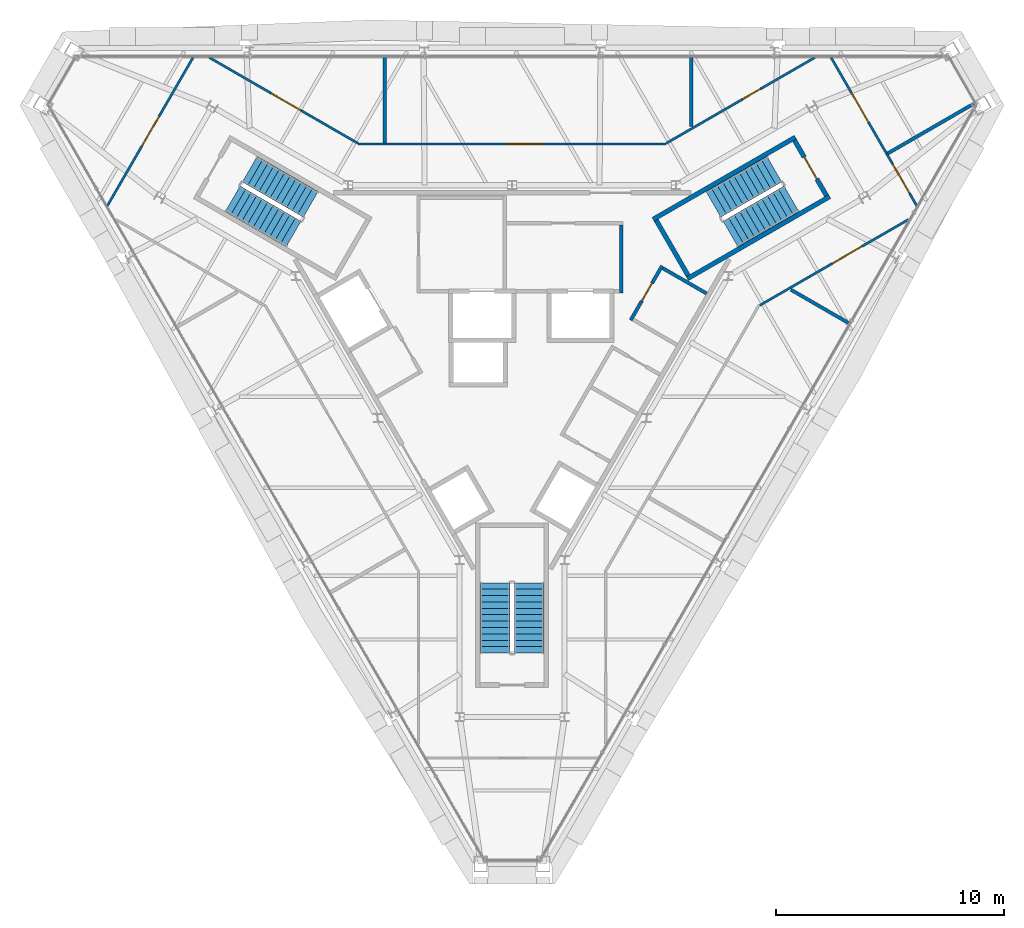
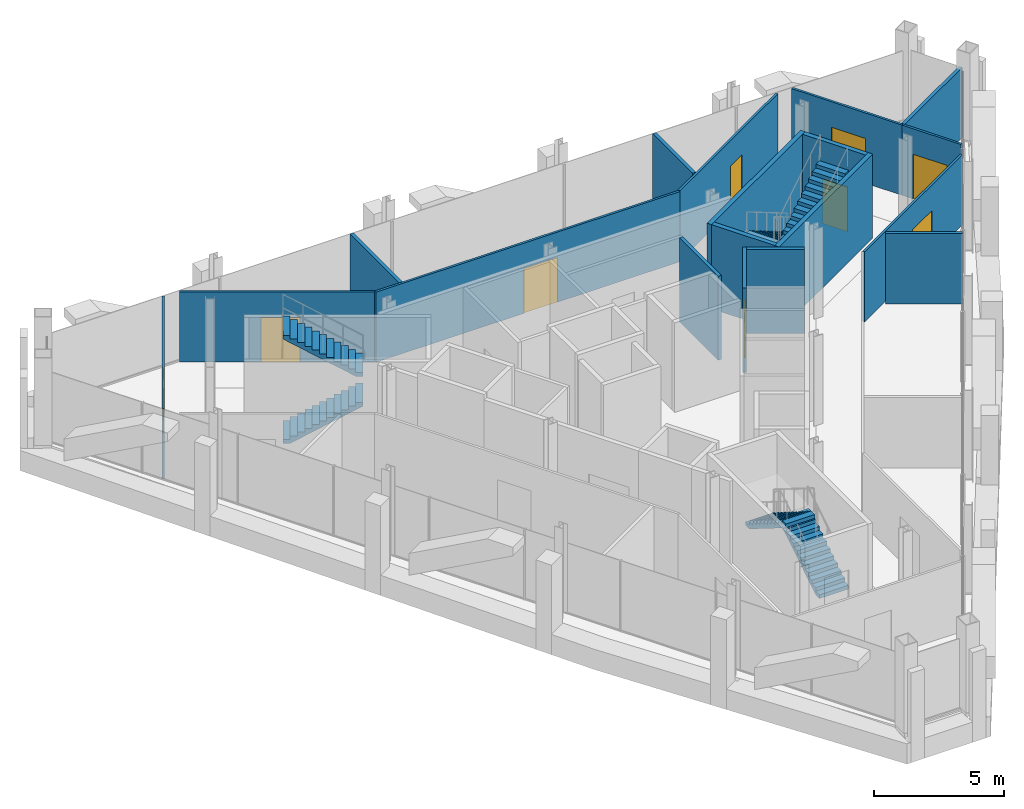
# One storey, part 11 of 13: 18 walls, 9 doors, 6 stair flights, 9 openings, 3 elements without a shape of their own.
"""IFC4 building model written with IfcOpenShell, lengths in metres."""

from ifc_helpers import new_model, si_unit, direction, frame, frame_2d, origin, place, context, subcontext, project, spatial, polyline, rectangle, outline, extrude, material, layer, layer_set, type_object, element, fill, aggregate, save


model = new_model("IFC4")

# Units and contexts
model_context = context("Model", 3, precision=1e-05, world=origin(), true_north=direction((0.0, 1.0)))
body_context = subcontext(model_context, "Body", "Model", "MODEL_VIEW")
ifc_project = project(units=[si_unit("LENGTHUNIT", "METRE"), si_unit("AREAUNIT", "SQUARE_METRE"), si_unit("VOLUMEUNIT", "CUBIC_METRE"), si_unit("PLANEANGLEUNIT", "RADIAN"), si_unit("MASSUNIT", "GRAM", prefix="KILO")], contexts=[model_context])

# Site, building, storey
site_placement = place(None, origin())
site = spatial("IfcSite", under=ifc_project, at=site_placement, CompositionType="ELEMENT")
building_placement = place(site_placement, origin())
building = spatial("IfcBuilding", under=site, at=building_placement, Name="Verrane Prism Tower", CompositionType="ELEMENT")
storey_placement = place(building_placement, frame((0.0, 0.0, 308.39990234375)))
storey = spatial("IfcBuildingStorey", under=building, at=storey_placement, Name="L78", CompositionType="ELEMENT", Elevation=308.39990234375)

# Wall, opening, door
ifc_material_1 = material(Name="Concrete C40/50", Category="concrete")
ifc_layer_1 = layer(ifc_material_1, 0.199951171875)
ifc_layer_set_1 = layer_set([ifc_layer_1], Name="CW-200 stair core wall concrete C40/50 3 h")
wall_type_1 = type_object("IfcWallType", Name="CW-200 stair core wall concrete C40/50 3 h", PredefinedType="PARTITIONING", material=ifc_layer_set_1)
wall_1_placement = place(storey_placement, frame((13.777099609375, 6.337646484375, 0.0), z_axis=(0.0, 0.0, 1.0), x_axis=(-0.500049511043, 0.865996816683, 0.0)))
wall_1 = element("IfcWall", 1, at=wall_1_placement, inside=storey, type_object=wall_type_1, Name="Stair 1 enclosure wall", PredefinedType="PARTITIONING", context=body_context, shape_type="SweptSolid", body=[
    extrude(rectangle(XDim=2.800048828125, YDim=0.199951171875, at=frame_2d((1.39990234375, 0.0))), origin(), (0.0, 0.0, 1.0), 3.9501953125),
])
opening_1_placement = place(wall_1_placement, frame((0.849853515625, 0.0, 0.0)))
opening_1 = element("IfcOpeningElement", 2, at=opening_1_placement, cuts=wall_1, Name="Opening D78500", PredefinedType="OPENING", context=body_context, shape_type="SweptSolid", body=[
    extrude(rectangle(XDim=1.10009765625, YDim=2.10009765625, at=frame_2d((0.550048828125, 1.050048828125))), frame((0.0, 0.10986328125, 0.0), z_axis=(0.0, -1.0, 0.0), x_axis=(1.0, 0.0, 0.0)), (0.0, 0.0, 1.0), 0.219970703125),
])
ifc_material_2 = material(Name="Timber veneered door leaf", Category="wood")
door_type_1 = type_object("IfcDoorType", Name="DR-1100x2100 FD90 single leaf stair", OperationType="NOTDEFINED", PredefinedType="DOOR", material=ifc_material_2)
door_1_placement = place(opening_1_placement, origin())
door_1 = element("IfcDoor", 3, at=door_1_placement, inside=storey, type_object=door_type_1, Name="Stair 1 door", OperationType="SINGLE_SWING_LEFT", OverallHeight=2.10009765625, OverallWidth=1.10009765625, PredefinedType="DOOR", context=body_context, shape_type="SweptSolid", body=[
    extrude(rectangle(XDim=1.10009765625, YDim=2.10009765625, at=frame_2d((0.550048828125, 1.050048828125))), frame((0.0, 0.02490234375, 0.0), z_axis=(0.0, -1.0, 0.0), x_axis=(1.0, 0.0, 0.0)), (0.0, 0.0, 1.0), 0.050048828125),
])
fill(opening_1, door_1)

# Walls
for number, where, z_axis, x_axis, name in (
    (4, (6.17822265625, 5.299072265625, 0.0), (0.0, 0.0, 1.0), (0.866033125095, 0.499986626058, 0.0), "Stair 1 enclosure wall"),
    (5, (7.67822265625, 2.700927734375, 0.0), (0.0, 0.0, 1.0), (0.866018442252, 0.500012057535, 0.0), "Stair 1 enclosure wall"),
):
    element("IfcWall", number, at=place(storey_placement, frame(where, z_axis=z_axis, x_axis=x_axis)), inside=storey, type_object=wall_type_1, Name=name, PredefinedType="PARTITIONING", context=body_context, shape_type="SweptSolid", body=[
        extrude(rectangle(XDim=7.199951171875, YDim=0.199951171875, at=frame_2d((3.60009765625, 0.0))), origin(), (0.0, 0.0, 1.0), 3.9501953125),
    ])
wall_2_placement = place(storey_placement, frame((7.71484375, 2.837646484375, 0.0), z_axis=(0.0, 0.0, 1.0), x_axis=(-0.500049511043, 0.865996816683, 0.0)))
element("IfcWall", 6, at=wall_2_placement, inside=storey, type_object=wall_type_1, Name="Stair 1 enclosure wall", PredefinedType="PARTITIONING", context=body_context, shape_type="SweptSolid", body=[
    extrude(rectangle(XDim=2.800048828125, YDim=0.199951171875, at=frame_2d((1.39990234375, 0.0))), origin(), (0.0, 0.0, 1.0), 3.9501953125),
])
ifc_material_3 = material(Name="Gypsum board partition", Category="other")
ifc_layer_2 = layer(ifc_material_3, 0.14990234375)
ifc_layer_set_2 = layer_set([ifc_layer_2], Name="LF-150 firefighting lobby wall 1 h")
wall_type_2 = type_object("IfcWallType", Name="LF-150 firefighting lobby wall 1 h", PredefinedType="PARTITIONING", material=ifc_layer_set_2)
wall_3_placement = place(storey_placement, frame((4.7900390625, 2.0849609375, 0.0), z_axis=(0.0, 0.0, 1.0), x_axis=(0.0, 1.0, 0.0)))
element("IfcWall", 7, at=wall_3_placement, inside=storey, type_object=wall_type_2, Name="Firefighting lobby wall LF1-008", PredefinedType="PARTITIONING", context=body_context, shape_type="SweptSolid", body=[
    extrude(rectangle(XDim=2.97998046875, YDim=0.14990234375, at=frame_2d((1.489990234375, 0.0))), origin(), (0.0, 0.0, 1.0), 3.9501953125),
])

# Wall, opening, door
ifc_material_4 = material(Name="Gypsum board partition", Category="other")
ifc_layer_3 = layer(ifc_material_4, 0.10009765625)
ifc_layer_set_3 = layer_set([ifc_layer_3], Name="PW-100 crown corridor wall 1 h")
wall_type_3 = type_object("IfcWallType", Name="PW-100 crown corridor wall 1 h", PredefinedType="PARTITIONING", material=ifc_layer_set_3)
wall_4_placement = place(storey_placement, frame((-17.73046875, 5.8935546875, 0.0), z_axis=(0.0, 0.0, 1.0), x_axis=(0.500350572687, 0.865822905918, 0.0)))
wall_4 = element("IfcWall", 8, at=wall_4_placement, inside=storey, type_object=wall_type_3, Name="Corridor wall 001", PredefinedType="PARTITIONING", context=body_context, shape_type="SweptSolid", body=[
    extrude(rectangle(XDim=7.5244140625, YDim=0.10009765625, at=frame_2d((3.76220703125, 0.0))), origin(), (0.0, 0.0, 1.0), 3.297119140625),
])
opening_2_placement = place(wall_4_placement, frame((3.02880859375, 0.0, 0.0)))
opening_2 = element("IfcOpeningElement", 9, at=opening_2_placement, cuts=wall_4, Name="Opening D78004", PredefinedType="OPENING", context=body_context, shape_type="SweptSolid", body=[
    extrude(rectangle(XDim=1.5, YDim=2.10009765625, at=frame_2d((0.75, 1.050048828125))), frame((0.0, 0.06005859375, 0.0), z_axis=(0.0, -1.0, 0.0), x_axis=(1.0, 0.0, 0.0)), (0.0, 0.0, 1.0), 0.1201171875),
])
ifc_material_5 = material(Name="Timber veneered door leaf", Category="wood")
door_type_2 = type_object("IfcDoorType", Name="DR-1500x2100 FD60 double leaf unit", OperationType="NOTDEFINED", PredefinedType="DOOR", material=ifc_material_5)
door_2_placement = place(opening_2_placement, origin())
door_2 = element("IfcDoor", 10, at=door_2_placement, inside=storey, type_object=door_type_2, Name="Mechanical Plant Room door", OperationType="DOUBLE_DOOR_SINGLE_SWING", OverallHeight=2.10009765625, OverallWidth=1.5, PredefinedType="DOOR", context=body_context, shape_type="SweptSolid", body=[
    extrude(rectangle(XDim=1.5, YDim=2.10009765625, at=frame_2d((0.75, 1.050048828125))), frame((0.0, 0.02490234375, 0.0), z_axis=(0.0, -1.0, 0.0), x_axis=(1.0, 0.0, 0.0)), (0.0, 0.0, 1.0), 0.050048828125),
])
fill(opening_2, door_2)

wall_5_placement = place(storey_placement, frame((-13.264892578125, 12.390625, 0.0), z_axis=(0.0, 0.0, 1.0), x_axis=(0.866073029218, -0.499917501255, 0.0)))
wall_5 = element("IfcWall", 11, at=wall_5_placement, inside=storey, type_object=wall_type_3, Name="Corridor wall 004", PredefinedType="PARTITIONING", context=body_context, shape_type="SweptSolid", body=[
    extrude(rectangle(XDim=7.512451171875, YDim=0.10009765625, at=frame_2d((3.75634765625, 0.0))), origin(), (0.0, 0.0, 1.0), 3.297119140625),
])
opening_3_placement = place(wall_5_placement, frame((3.136962890625, 0.0, 0.0)))
opening_3 = element("IfcOpeningElement", 12, at=opening_3_placement, cuts=wall_5, Name="Opening D78003", PredefinedType="OPENING", context=body_context, shape_type="SweptSolid", body=[
    extrude(rectangle(XDim=1.5, YDim=2.10009765625, at=frame_2d((0.75, 1.050048828125))), frame((0.0, 0.06005859375, 0.0), z_axis=(0.0, -1.0, 0.0), x_axis=(1.0, 0.0, 0.0)), (0.0, 0.0, 1.0), 0.1201171875),
])
door_3_placement = place(opening_3_placement, origin())
door_3 = element("IfcDoor", 13, at=door_3_placement, inside=storey, type_object=door_type_2, Name="Mechanical Plant Room door", OperationType="DOUBLE_DOOR_SINGLE_SWING", OverallHeight=2.10009765625, OverallWidth=1.5, PredefinedType="DOOR", context=body_context, shape_type="SweptSolid", body=[
    extrude(rectangle(XDim=1.5, YDim=2.10009765625, at=frame_2d((0.75, 1.050048828125))), frame((0.0, 0.02490234375, 0.0), z_axis=(0.0, -1.0, 0.0), x_axis=(1.0, 0.0, 0.0)), (0.0, 0.0, 1.0), 0.050048828125),
])
fill(opening_3, door_3)

wall_6_placement = place(storey_placement, frame((-6.748046875, 8.60009765625, 0.0), z_axis=(0.0, 0.0, 1.0), x_axis=(1.0, 0.0, 0.0)))
wall_6 = element("IfcWall", 14, at=wall_6_placement, inside=storey, type_object=wall_type_3, Name="Corridor wall 007", PredefinedType="PARTITIONING", context=body_context, shape_type="SweptSolid", body=[
    extrude(rectangle(XDim=13.49609375, YDim=0.10009765625, at=frame_2d((6.748046875, 0.0))), origin(), (0.0, 0.0, 1.0), 3.297119140625),
])
opening_4_placement = place(wall_6_placement, frame((6.56298828125, 0.0, 0.0)))
opening_4 = element("IfcOpeningElement", 15, at=opening_4_placement, cuts=wall_6, Name="Opening D78002", PredefinedType="OPENING", context=body_context, shape_type="SweptSolid", body=[
    extrude(rectangle(XDim=1.5, YDim=2.10009765625, at=frame_2d((0.75, 1.050048828125))), frame((0.0, 0.06005859375, 0.0), z_axis=(0.0, -1.0, 0.0), x_axis=(1.0, 0.0, 0.0)), (0.0, 0.0, 1.0), 0.1201171875),
])
door_4_placement = place(opening_4_placement, origin())
door_4 = element("IfcDoor", 16, at=door_4_placement, inside=storey, type_object=door_type_2, Name="Mechanical Plant Room door", OperationType="DOUBLE_DOOR_SINGLE_SWING", OverallHeight=2.10009765625, OverallWidth=1.5, PredefinedType="DOOR", context=body_context, shape_type="SweptSolid", body=[
    extrude(rectangle(XDim=1.5, YDim=2.10009765625, at=frame_2d((0.75, 1.050048828125))), frame((0.0, 0.02490234375, 0.0), z_axis=(0.0, -1.0, 0.0), x_axis=(1.0, 0.0, 0.0)), (0.0, 0.0, 1.0), 0.050048828125),
])
fill(opening_4, door_4)

wall_7_placement = place(storey_placement, frame((6.758544921875, 8.635009765625, 0.0), z_axis=(0.0, 0.0, 1.0), x_axis=(0.866073029218, 0.499917501255, 0.0)))
wall_7 = element("IfcWall", 17, at=wall_7_placement, inside=storey, type_object=wall_type_3, Name="Corridor wall 014", PredefinedType="PARTITIONING", context=body_context, shape_type="SweptSolid", body=[
    extrude(rectangle(XDim=7.512451171875, YDim=0.10009765625, at=frame_2d((3.75634765625, 0.0))), origin(), (0.0, 0.0, 1.0), 3.297119140625),
])
opening_5_placement = place(wall_7_placement, frame((3.867919921875, 0.0, 0.0)))
opening_5 = element("IfcOpeningElement", 18, at=opening_5_placement, cuts=wall_7, Name="Opening D78012", PredefinedType="OPENING", context=body_context, shape_type="SweptSolid", body=[
    extrude(rectangle(XDim=0.89990234375, YDim=2.10009765625, at=frame_2d((0.449951171875, 1.050048828125))), frame((0.0, 0.06005859375, 0.0), z_axis=(0.0, -1.0, 0.0), x_axis=(1.0, 0.0, 0.0)), (0.0, 0.0, 1.0), 0.1201171875),
])
ifc_material_6 = material(Name="Timber veneered door leaf", Category="wood")
door_type_3 = type_object("IfcDoorType", Name="DR-900x2100 FD20 single leaf service", OperationType="NOTDEFINED", PredefinedType="DOOR", material=ifc_material_6)
door_5_placement = place(opening_5_placement, origin())
door_5 = element("IfcDoor", 19, at=door_5_placement, inside=storey, type_object=door_type_3, Name="Service Pantry door", OperationType="SINGLE_SWING_RIGHT", OverallHeight=2.10009765625, OverallWidth=0.89990234375, PredefinedType="DOOR", context=body_context, shape_type="SweptSolid", body=[
    extrude(rectangle(XDim=0.89990234375, YDim=2.10009765625, at=frame_2d((0.449951171875, 1.050048828125))), frame((0.0, 0.02490234375, 0.0), z_axis=(0.0, -1.0, 0.0), x_axis=(1.0, 0.0, 0.0)), (0.0, 0.0, 1.0), 0.050048828125),
])
fill(opening_5, door_5)

wall_8_placement = place(storey_placement, frame((17.361328125, 5.2900390625, 0.0), z_axis=(0.0, 0.0, 1.0), x_axis=(-0.866105995393, -0.499860385252, 0.0)))
wall_8 = element("IfcWall", 20, at=wall_8_placement, inside=storey, type_object=wall_type_3, Name="Corridor wall 016", PredefinedType="PARTITIONING", context=body_context, shape_type="SweptSolid", body=[
    extrude(rectangle(XDim=7.508056640625, YDim=0.10009765625, at=frame_2d((3.75390625, 0.0))), origin(), (0.0, 0.0, 1.0), 3.297119140625),
])
opening_6_placement = place(wall_8_placement, frame((2.343017578125, 0.0, 0.0)))
opening_6 = element("IfcOpeningElement", 21, at=opening_6_placement, cuts=wall_8, Name="Opening D78010", PredefinedType="OPENING", context=body_context, shape_type="SweptSolid", body=[
    extrude(rectangle(XDim=1.5, YDim=2.10009765625, at=frame_2d((0.75, 1.050048828125))), frame((0.0, 0.06005859375, 0.0), z_axis=(0.0, -1.0, 0.0), x_axis=(1.0, 0.0, 0.0)), (0.0, 0.0, 1.0), 0.1201171875),
])
door_6_placement = place(opening_6_placement, origin())
door_6 = element("IfcDoor", 22, at=door_6_placement, inside=storey, type_object=door_type_2, Name="Mechanical Plant Room door", OperationType="DOUBLE_DOOR_SINGLE_SWING", OverallHeight=2.10009765625, OverallWidth=1.5, PredefinedType="DOOR", context=body_context, shape_type="SweptSolid", body=[
    extrude(rectangle(XDim=1.5, YDim=2.10009765625, at=frame_2d((0.75, 1.050048828125))), frame((0.0, 0.02490234375, 0.0), z_axis=(0.0, -1.0, 0.0), x_axis=(1.0, 0.0, 0.0)), (0.0, 0.0, 1.0), 0.050048828125),
])
fill(opening_6, door_6)

wall_9_placement = place(storey_placement, frame((13.965576171875, 12.408447265625, 0.0), z_axis=(0.0, 0.0, 1.0), x_axis=(0.500399645014, -0.865794545646, 0.0)))
wall_9 = element("IfcWall", 23, at=wall_9_placement, inside=storey, type_object=wall_type_3, Name="Corridor wall 018", PredefinedType="PARTITIONING", context=body_context, shape_type="SweptSolid", body=[
    extrude(rectangle(XDim=4.89892578125, YDim=0.10009765625, at=frame_2d((2.449462890625, 0.0))), origin(), (0.0, 0.0, 1.0), 3.297119140625),
])
opening_7_placement = place(wall_9_placement, frame((1.77880859375, 0.0, 0.0)))
opening_7 = element("IfcOpeningElement", 24, at=opening_7_placement, cuts=wall_9, Name="Opening D78001", PredefinedType="OPENING", context=body_context, shape_type="SweptSolid", body=[
    extrude(rectangle(XDim=1.5, YDim=2.10009765625, at=frame_2d((0.75, 1.050048828125))), frame((0.0, 0.06005859375, 0.0), z_axis=(0.0, -1.0, 0.0), x_axis=(1.0, 0.0, 0.0)), (0.0, 0.0, 1.0), 0.1201171875),
])
door_7_placement = place(opening_7_placement, origin())
door_7 = element("IfcDoor", 25, at=door_7_placement, inside=storey, type_object=door_type_2, Name="Mechanical Plant Room door", OperationType="DOUBLE_DOOR_SINGLE_SWING", OverallHeight=2.10009765625, OverallWidth=1.5, PredefinedType="DOOR", context=body_context, shape_type="SweptSolid", body=[
    extrude(rectangle(XDim=1.5, YDim=2.10009765625, at=frame_2d((0.75, 1.050048828125))), frame((0.0, 0.02490234375, 0.0), z_axis=(0.0, -1.0, 0.0), x_axis=(1.0, 0.0, 0.0)), (0.0, 0.0, 1.0), 0.050048828125),
])
fill(opening_7, door_7)

wall_10_placement = place(storey_placement, frame((16.41796875, 8.166015625, 0.0), z_axis=(0.0, 0.0, 1.0), x_axis=(0.500141194934, -0.865943869503, 0.0)))
wall_10 = element("IfcWall", 26, at=wall_10_placement, inside=storey, type_object=wall_type_3, Name="Corridor wall 019", PredefinedType="PARTITIONING", context=body_context, shape_type="SweptSolid", body=[
    extrude(rectangle(XDim=2.624267578125, YDim=0.10009765625, at=frame_2d((1.31201171875, 0.0))), origin(), (0.0, 0.0, 1.0), 3.297119140625),
])
opening_8_placement = place(wall_10_placement, frame((0.5, 0.0, 0.0)))
opening_8 = element("IfcOpeningElement", 27, at=opening_8_placement, cuts=wall_10, Name="Opening D78013", PredefinedType="OPENING", context=body_context, shape_type="SweptSolid", body=[
    extrude(rectangle(XDim=1.5, YDim=2.10009765625, at=frame_2d((0.75, 1.050048828125))), frame((0.0, 0.06005859375, 0.0), z_axis=(0.0, -1.0, 0.0), x_axis=(1.0, 0.0, 0.0)), (0.0, 0.0, 1.0), 0.1201171875),
])
door_8_placement = place(opening_8_placement, origin())
door_8 = element("IfcDoor", 28, at=door_8_placement, inside=storey, type_object=door_type_2, Name="Mechanical Plant Room door", OperationType="DOUBLE_DOOR_SINGLE_SWING", OverallHeight=2.10009765625, OverallWidth=1.5, PredefinedType="DOOR", context=body_context, shape_type="SweptSolid", body=[
    extrude(rectangle(XDim=1.5, YDim=2.10009765625, at=frame_2d((0.75, 1.050048828125))), frame((0.0, 0.02490234375, 0.0), z_axis=(0.0, -1.0, 0.0), x_axis=(1.0, 0.0, 0.0)), (0.0, 0.0, 1.0), 0.050048828125),
])
fill(opening_8, door_8)

# Walls
ifc_material_7 = material(Name="Gypsum board partition", Category="other")
ifc_layer_4 = layer(ifc_material_7, 0.14990234375)
ifc_layer_set_4 = layer_set([ifc_layer_4], Name="PW-150 demising wall 1 h")
wall_type_4 = type_object("IfcWallType", Name="PW-150 demising wall 1 h", PredefinedType="PARTITIONING", material=ifc_layer_set_4)
wall_11_placement = place(storey_placement, frame((-5.5849609375, 8.64990234375, 0.0), z_axis=(0.0, 0.0, 1.0), x_axis=(0.0, 1.0, 0.0)))
element("IfcWall", 29, at=wall_11_placement, inside=storey, type_object=wall_type_4, Name="Demising wall 008", PredefinedType="PARTITIONING", context=body_context, shape_type="SweptSolid", body=[
    extrude(rectangle(XDim=3.783203125, YDim=0.14990234375, at=frame_2d((1.8916015625, 0.0))), origin(), (0.0, 0.0, 1.0), 3.297119140625),
])
wall_12_placement = place(storey_placement, frame((7.85693359375, 9.3701171875, 0.0), z_axis=(0.0, 0.0, 1.0), x_axis=(0.0, 1.0, 0.0)))
element("IfcWall", 30, at=wall_12_placement, inside=storey, type_object=wall_type_4, Name="Demising wall 015", PredefinedType="PARTITIONING", context=body_context, shape_type="SweptSolid", body=[
    extrude(rectangle(XDim=3.06298828125, YDim=0.14990234375, at=frame_2d((1.531494140625, 0.0))), origin(), (0.0, 0.0, 1.0), 3.297119140625),
])
wall_13_placement = place(storey_placement, frame((12.214599609375, 2.219482421875, 0.0), z_axis=(0.0, 0.0, 1.0), x_axis=(0.865983964866, -0.500071767444, 0.0)))
element("IfcWall", 31, at=wall_13_placement, inside=storey, type_object=wall_type_4, Name="Demising wall 017", PredefinedType="PARTITIONING", context=body_context, shape_type="SweptSolid", body=[
    extrude(rectangle(XDim=2.96435546875, YDim=0.14990234375, at=frame_2d((1.482177734375, 0.0))), origin(), (0.0, 0.0, 1.0), 3.297119140625),
])
wall_14_placement = place(storey_placement, frame((16.461181640625, 8.19091796875, 0.0), z_axis=(0.0, 0.0, 1.0), x_axis=(0.865849090599, 0.500305259125, 0.0)))
element("IfcWall", 32, at=wall_14_placement, inside=storey, type_object=wall_type_4, Name="Demising wall 020", PredefinedType="PARTITIONING", context=body_context, shape_type="SweptSolid", body=[
    extrude(rectangle(XDim=4.411376953125, YDim=0.14990234375, at=frame_2d((2.20556640625, 0.0))), origin(), (0.0, 0.0, 1.0), 3.297119140625),
])

# Wall, opening, door
ifc_material_8 = material(Name="Gypsum board partition", Category="other")
ifc_layer_5 = layer(ifc_material_8, 0.14990234375)
ifc_layer_set_5 = layer_set([ifc_layer_5], Name="RS-150 riser enclosure wall 1 h")
wall_type_5 = type_object("IfcWallType", Name="RS-150 riser enclosure wall 1 h", PredefinedType="PARTITIONING", material=ifc_layer_set_5)
wall_15_placement = place(storey_placement, frame((6.573486328125, 3.265869140625, 0.0), z_axis=(0.0, 0.0, 1.0), x_axis=(-0.499958106649, -0.866049589571, 0.0)))
wall_15 = element("IfcWall", 33, at=wall_15_placement, inside=storey, type_object=wall_type_5, Name="Riser wall RS3-007", PredefinedType="PARTITIONING", context=body_context, shape_type="SweptSolid", body=[
    extrude(rectangle(XDim=2.750244140625, YDim=0.14990234375, at=frame_2d((1.375, 0.0))), origin(), (0.0, 0.0, 1.0), 3.9501953125),
])
opening_9_placement = place(wall_15_placement, frame((0.875244140625, 0.0, 0.0)))
opening_9 = element("IfcOpeningElement", 34, at=opening_9_placement, cuts=wall_15, Name="Opening D78513", PredefinedType="OPENING", context=body_context, shape_type="SweptSolid", body=[
    extrude(rectangle(XDim=0.89990234375, YDim=2.10009765625, at=frame_2d((0.449951171875, 1.050048828125))), frame((0.0, 0.0849609375, 0.0), z_axis=(0.0, -1.0, 0.0), x_axis=(1.0, 0.0, 0.0)), (0.0, 0.0, 1.0), 0.169921875),
])
ifc_material_9 = material(Name="Timber veneered door leaf", Category="wood")
door_type_4 = type_object("IfcDoorType", Name="DR-900x2100 FD60 single leaf riser", OperationType="NOTDEFINED", PredefinedType="DOOR", material=ifc_material_9)
door_9_placement = place(opening_9_placement, origin())
door_9 = element("IfcDoor", 35, at=door_9_placement, inside=storey, type_object=door_type_4, Name="Riser door D78513", OperationType="SINGLE_SWING_RIGHT", OverallHeight=2.10009765625, OverallWidth=0.89990234375, PredefinedType="DOOR", context=body_context, shape_type="SweptSolid", body=[
    extrude(rectangle(XDim=0.89990234375, YDim=2.10009765625, at=frame_2d((0.449951171875, 1.050048828125))), frame((0.0, 0.02490234375, 0.0), z_axis=(0.0, -1.0, 0.0), x_axis=(1.0, 0.0, 0.0)), (0.0, 0.0, 1.0), 0.050048828125),
])
fill(opening_9, door_9)

# Wall
wall_16_placement = place(storey_placement, frame((6.60107421875, 3.16357421875, 0.0), z_axis=(0.0, 0.0, 1.0), x_axis=(0.866062920605, -0.499935013329, 0.0)))
element("IfcWall", 36, at=wall_16_placement, inside=storey, type_object=wall_type_5, Name="Riser wall RS3-009", PredefinedType="PARTITIONING", context=body_context, shape_type="SweptSolid", body=[
    extrude(rectangle(XDim=2.220458984375, YDim=0.14990234375, at=frame_2d((1.1103515625, 0.0))), origin(), (0.0, 0.0, 1.0), 3.9501953125),
])

# Stair, stair flights
ifc_material_10 = material(Name="Concrete C40/50", Category="concrete")
stair_type = type_object("IfcStairType", Name="Exit stair 1300 dog-leg precast concrete C40/50", PredefinedType="HALF_TURN_STAIR", material=ifc_material_10)
stair_1_placement = place(storey_placement, origin())
stair_1 = element("IfcStair", 37, at=stair_1_placement, inside=storey, type_object=stair_type, Name="Stair 1 L78", PredefinedType="HALF_TURN_STAIR")
ifc_material_11 = material(Name="Concrete C40/50", Category="concrete")
stair_flight_type = type_object("IfcStairFlightType", Name="Stair flight 1300 precast concrete C40/50", PredefinedType="STRAIGHT", material=ifc_material_11)
stair_flight_1_placement = place(storey_placement, frame((11.489501953125, 7.49951171875, 0.0), z_axis=(0.0, 0.0, 1.0), x_axis=(-0.866025403784, -0.5, 0.0)))
stair_flight_1 = element("IfcStairFlight", 38, at=stair_flight_1_placement, type_object=stair_flight_type, Name="Stair 1 flight 1", NumberOfRisers=12, NumberOfTreads=11, PredefinedType="STRAIGHT", RiserHeight=0.175, TreadLength=0.28, context=body_context, shape_type="SweptSolid", body=[
    extrude(outline(polyline([(0.0, 0.0), (0.0, 0.175048828125), (0.280029296875, 0.175048828125), (0.280029296875, 0.35009765625), (0.56005859375, 0.35009765625), (0.56005859375, 0.52490234375), (0.840087890625, 0.52490234375), (0.840087890625, 0.699951171875), (1.1201171875, 0.699951171875), (1.1201171875, 0.875), (1.39990234375, 0.875), (1.39990234375, 1.050048828125), (1.679931640625, 1.050048828125), (1.679931640625, 1.22509765625), (1.9599609375, 1.22509765625), (1.9599609375, 1.39990234375), (2.239990234375, 1.39990234375), (2.239990234375, 1.574951171875), (2.52001953125, 1.574951171875), (2.52001953125, 1.75), (2.800048828125, 1.75), (2.800048828125, 1.925048828125), (3.080078125, 1.925048828125), (3.080078125, 2.10009765625), (3.080078125, 1.748291015625), (0.28271484375, 0.0), (0.0, 0.0)])), frame((0.0, 0.64990234375, 0.0), z_axis=(0.0, -1.0, 0.0), x_axis=(1.0, 0.0, 0.0)), (0.0, 0.0, 1.0), 1.300048828125),
])
stair_flight_2_placement = place(storey_placement, frame((9.572265625, 4.660400390625, 2.10009765625), z_axis=(0.0, 0.0, 1.0), x_axis=(0.866025403784, 0.5, 0.0)))
stair_flight_2 = element("IfcStairFlight", 39, at=stair_flight_2_placement, type_object=stair_flight_type, Name="Stair 1 flight 2", NumberOfRisers=12, NumberOfTreads=11, PredefinedType="STRAIGHT", RiserHeight=0.175, TreadLength=0.28, context=body_context, shape_type="SweptSolid", body=[
    extrude(outline(polyline([(0.0, 0.0), (0.0, 0.175048828125), (0.280029296875, 0.175048828125), (0.280029296875, 0.35009765625), (0.56005859375, 0.35009765625), (0.56005859375, 0.52490234375), (0.840087890625, 0.52490234375), (0.840087890625, 0.699951171875), (1.1201171875, 0.699951171875), (1.1201171875, 0.875), (1.39990234375, 0.875), (1.39990234375, 1.050048828125), (1.679931640625, 1.050048828125), (1.679931640625, 1.22509765625), (1.9599609375, 1.22509765625), (1.9599609375, 1.39990234375), (2.239990234375, 1.39990234375), (2.239990234375, 1.574951171875), (2.52001953125, 1.574951171875), (2.52001953125, 1.75), (2.800048828125, 1.75), (2.800048828125, 1.925048828125), (3.080078125, 1.925048828125), (3.080078125, 2.10009765625), (3.080078125, 1.748291015625), (0.28271484375, 0.0), (0.0, 0.0)])), frame((0.0, 0.64990234375, 0.0), z_axis=(0.0, -1.0, 0.0), x_axis=(1.0, 0.0, 0.0)), (0.0, 0.0, 1.0), 1.300048828125),
])
aggregate(stair_1, [stair_flight_1, stair_flight_2])

stair_2_placement = place(storey_placement, origin())
stair_2 = element("IfcStair", 40, at=stair_2_placement, inside=storey, type_object=stair_type, Name="Stair 2 L78", PredefinedType="HALF_TURN_STAIR")
stair_flight_3_placement = place(storey_placement, frame((-12.239501953125, 6.200439453125, 0.0), z_axis=(0.0, 0.0, 1.0), x_axis=(0.866025403784, -0.5, 0.0)))
stair_flight_3 = element("IfcStairFlight", 41, at=stair_flight_3_placement, type_object=stair_flight_type, Name="Stair 2 flight 1", NumberOfRisers=12, NumberOfTreads=11, PredefinedType="STRAIGHT", RiserHeight=0.175, TreadLength=0.28, context=body_context, shape_type="SweptSolid", body=[
    extrude(outline(polyline([(0.0, 0.0), (0.0, 0.175048828125), (0.280029296875, 0.175048828125), (0.280029296875, 0.35009765625), (0.56005859375, 0.35009765625), (0.56005859375, 0.52490234375), (0.840087890625, 0.52490234375), (0.840087890625, 0.699951171875), (1.1201171875, 0.699951171875), (1.1201171875, 0.875), (1.39990234375, 0.875), (1.39990234375, 1.050048828125), (1.679931640625, 1.050048828125), (1.679931640625, 1.22509765625), (1.9599609375, 1.22509765625), (1.9599609375, 1.39990234375), (2.239990234375, 1.39990234375), (2.239990234375, 1.574951171875), (2.52001953125, 1.574951171875), (2.52001953125, 1.75), (2.800048828125, 1.75), (2.800048828125, 1.925048828125), (3.080078125, 1.925048828125), (3.080078125, 2.10009765625), (3.080078125, 1.748291015625), (0.28271484375, 0.0), (0.0, 0.0)])), frame((0.0, 0.64990234375, 0.0), z_axis=(0.0, -1.0, 0.0), x_axis=(1.0, 0.0, 0.0)), (0.0, 0.0, 1.0), 1.300048828125),
])
stair_flight_4_placement = place(storey_placement, frame((-8.822265625, 5.95947265625, 2.10009765625), z_axis=(0.0, 0.0, 1.0), x_axis=(-0.866025403784, 0.5, 0.0)))
stair_flight_4 = element("IfcStairFlight", 42, at=stair_flight_4_placement, type_object=stair_flight_type, Name="Stair 2 flight 2", NumberOfRisers=12, NumberOfTreads=11, PredefinedType="STRAIGHT", RiserHeight=0.175, TreadLength=0.28, context=body_context, shape_type="SweptSolid", body=[
    extrude(outline(polyline([(0.0, 0.0), (0.0, 0.175048828125), (0.280029296875, 0.175048828125), (0.280029296875, 0.35009765625), (0.56005859375, 0.35009765625), (0.56005859375, 0.52490234375), (0.840087890625, 0.52490234375), (0.840087890625, 0.699951171875), (1.1201171875, 0.699951171875), (1.1201171875, 0.875), (1.39990234375, 0.875), (1.39990234375, 1.050048828125), (1.679931640625, 1.050048828125), (1.679931640625, 1.22509765625), (1.9599609375, 1.22509765625), (1.9599609375, 1.39990234375), (2.239990234375, 1.39990234375), (2.239990234375, 1.574951171875), (2.52001953125, 1.574951171875), (2.52001953125, 1.75), (2.800048828125, 1.75), (2.800048828125, 1.925048828125), (3.080078125, 1.925048828125), (3.080078125, 2.10009765625), (3.080078125, 1.748291015625), (0.28271484375, 0.0), (0.0, 0.0)])), frame((0.0, 0.64990234375, 0.0), z_axis=(0.0, -1.0, 0.0), x_axis=(1.0, 0.0, 0.0)), (0.0, 0.0, 1.0), 1.300048828125),
])
aggregate(stair_2, [stair_flight_3, stair_flight_4])

stair_3_placement = place(storey_placement, origin())
stair_3 = element("IfcStair", 43, at=stair_3_placement, inside=storey, type_object=stair_type, Name="Stair 3 L78", PredefinedType="HALF_TURN_STAIR")
stair_flight_5_placement = place(storey_placement, frame((0.75, -13.699951171875, 0.0), z_axis=(0.0, 0.0, 1.0), x_axis=(0.0, 1.0, 0.0)))
stair_flight_5 = element("IfcStairFlight", 44, at=stair_flight_5_placement, type_object=stair_flight_type, Name="Stair 3 flight 1", NumberOfRisers=12, NumberOfTreads=11, PredefinedType="STRAIGHT", RiserHeight=0.175, TreadLength=0.28, context=body_context, shape_type="SweptSolid", body=[
    extrude(outline(polyline([(0.0, 0.0), (0.0, 0.175048828125), (0.280029296875, 0.175048828125), (0.280029296875, 0.35009765625), (0.56005859375, 0.35009765625), (0.56005859375, 0.52490234375), (0.840087890625, 0.52490234375), (0.840087890625, 0.699951171875), (1.1201171875, 0.699951171875), (1.1201171875, 0.875), (1.39990234375, 0.875), (1.39990234375, 1.050048828125), (1.679931640625, 1.050048828125), (1.679931640625, 1.22509765625), (1.9599609375, 1.22509765625), (1.9599609375, 1.39990234375), (2.239990234375, 1.39990234375), (2.239990234375, 1.574951171875), (2.52001953125, 1.574951171875), (2.52001953125, 1.75), (2.800048828125, 1.75), (2.800048828125, 1.925048828125), (3.080078125, 1.925048828125), (3.080078125, 2.10009765625), (3.080078125, 1.748291015625), (0.28271484375, 0.0), (0.0, 0.0)])), frame((0.0, 0.64990234375, 0.0), z_axis=(0.0, -1.0, 0.0), x_axis=(1.0, 0.0, 0.0)), (0.0, 0.0, 1.0), 1.300048828125),
])
stair_flight_6_placement = place(storey_placement, frame((-0.75, -10.6201171875, 2.10009765625), z_axis=(0.0, 0.0, 1.0), x_axis=(0.0, -1.0, 0.0)))
stair_flight_6 = element("IfcStairFlight", 45, at=stair_flight_6_placement, type_object=stair_flight_type, Name="Stair 3 flight 2", NumberOfRisers=12, NumberOfTreads=11, PredefinedType="STRAIGHT", RiserHeight=0.175, TreadLength=0.28, context=body_context, shape_type="SweptSolid", body=[
    extrude(outline(polyline([(0.0, 0.0), (0.0, 0.175048828125), (0.280029296875, 0.175048828125), (0.280029296875, 0.35009765625), (0.56005859375, 0.35009765625), (0.56005859375, 0.52490234375), (0.840087890625, 0.52490234375), (0.840087890625, 0.699951171875), (1.1201171875, 0.699951171875), (1.1201171875, 0.875), (1.39990234375, 0.875), (1.39990234375, 1.050048828125), (1.679931640625, 1.050048828125), (1.679931640625, 1.22509765625), (1.9599609375, 1.22509765625), (1.9599609375, 1.39990234375), (2.239990234375, 1.39990234375), (2.239990234375, 1.574951171875), (2.52001953125, 1.574951171875), (2.52001953125, 1.75), (2.800048828125, 1.75), (2.800048828125, 1.925048828125), (3.080078125, 1.925048828125), (3.080078125, 2.10009765625), (3.080078125, 1.748291015625), (0.28271484375, 0.0), (0.0, 0.0)])), frame((0.0, 0.64990234375, 0.0), z_axis=(0.0, -1.0, 0.0), x_axis=(1.0, 0.0, 0.0)), (0.0, 0.0, 1.0), 1.300048828125),
])
aggregate(stair_3, [stair_flight_5, stair_flight_6])

save(model, "model.ifc")
